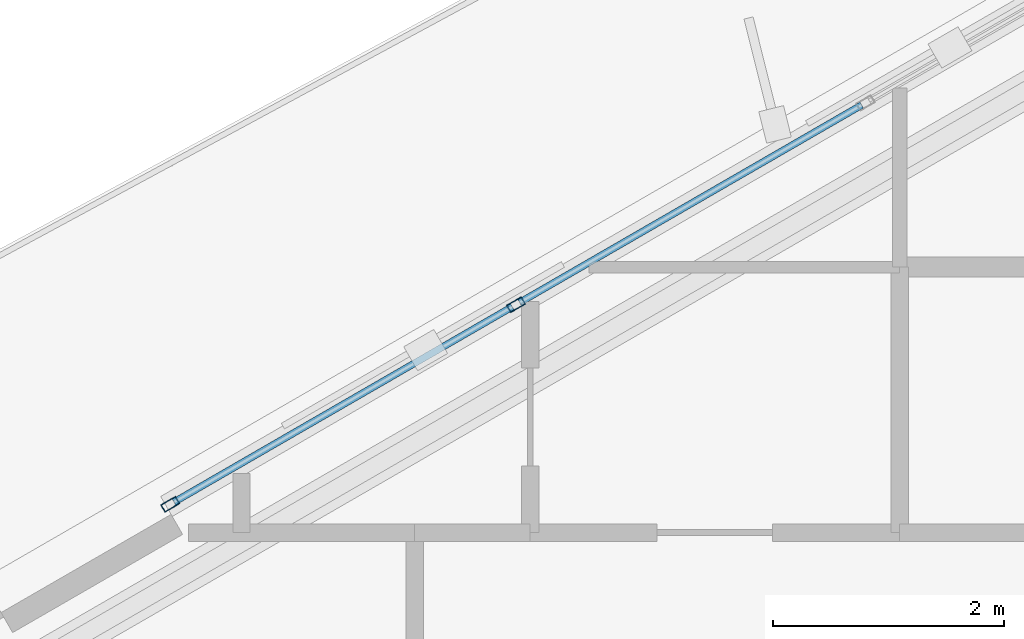
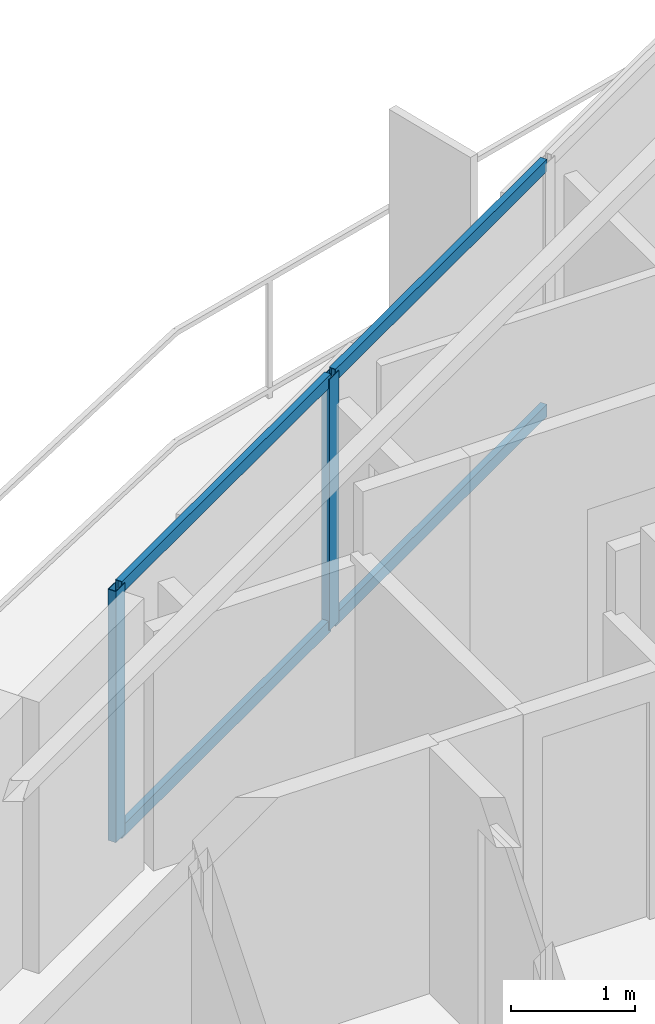
# One storey, part 5 of 18: 6 members, 1 element without a shape of its own.
"""IFC4 building model written with IfcOpenShell, lengths in metres."""

from ifc_helpers import new_model, si_unit, direction, frame, origin, origin_2d, place, context, subcontext, project, spatial, hollow_rectangle, extrude, material, layer, layer_set, material_profile, profile_set, type_object, element, aggregate, save


model = new_model("IFC4")

# Units and contexts
model_context = context("Model", 3, precision=1e-05, world=origin(), true_north=direction((0.0, 1.0)))
body_context = subcontext(model_context, "Body", "Model", "MODEL_VIEW")
ifc_project = project(units=[si_unit("LENGTHUNIT", "METRE"), si_unit("AREAUNIT", "SQUARE_METRE"), si_unit("VOLUMEUNIT", "CUBIC_METRE"), si_unit("PLANEANGLEUNIT", "RADIAN"), si_unit("MASSUNIT", "GRAM", prefix="KILO")], contexts=[model_context])

# Site, building, storey
site_placement = place(None, origin())
site = spatial("IfcSite", under=ifc_project, at=site_placement, CompositionType="ELEMENT")
building_placement = place(site_placement, origin())
building = spatial("IfcBuilding", under=site, at=building_placement, Name="Mersakhor Tower and Convention Hall", CompositionType="ELEMENT")
storey_placement = place(building_placement, frame((0.0, 0.0, 154.199951171875)))
storey = spatial("IfcBuildingStorey", under=building, at=storey_placement, Name="L43", CompositionType="ELEMENT", Elevation=154.199951171875)

# Curtain wall, members
ifc_material_1 = material(Name="Dark solar low-E aluminium curtain wall", Category="aluminium")
ifc_layer = layer(ifc_material_1, 0.169921875)
ifc_layer_set = layer_set([ifc_layer], Name="Dark solar low-E aluminium curtain wall")
curtain_wall_type = type_object("IfcCurtainWallType", Name="CW-SYS-02", PredefinedType="USERDEFINED", material=ifc_layer_set)
curtain_wall_placement = place(storey_placement, origin())
curtain_wall = element("IfcCurtainWall", 1, at=curtain_wall_placement, inside=storey, type_object=curtain_wall_type, Name="L43 Dark-Glass Curtain Wall F1-B2", ObjectType="CURTAIN WALL", PredefinedType="USERDEFINED")
ifc_material_2 = material(Name="Anodised aluminium EN AW-6063 T6", Category="aluminium")
ifc_material_profile_1 = material_profile(ifc_material_2, hollow_rectangle(XDim=0.074951171875, YDim=0.14990234375, WallThickness=0.00634765625, at=origin_2d()), Name="RHS 150x75x6.3")
ifc_profile_set_1 = profile_set([ifc_material_profile_1], Name="Anodised aluminium EN AW-6063 T6")
member_type_1 = type_object("IfcMemberType", Name="CWM-150x75", PredefinedType="MULLION", material=ifc_profile_set_1)
member_1_placement = place(storey_placement, frame((17.88232421875, 35.595458984375, 0.199951171875), z_axis=(0.0, 0.0, 1.0), x_axis=(-0.499990468363, 0.866030906807, 0.0)))
member_1 = element("IfcMember", 2, at=member_1_placement, type_object=member_type_1, Name="CW-02 mullion 1", PredefinedType="MULLION", context=body_context, shape_type="SweptSolid", body=[
    extrude(hollow_rectangle(XDim=0.074951171875, YDim=0.14990234375, WallThickness=0.00634765625, at=origin_2d()), origin(), (0.0, 0.0, 1.0), 2.47998046875),
])
member_2_placement = place(storey_placement, frame((20.876953125, 37.32421875, 0.199951171875), z_axis=(0.0, 0.0, 1.0), x_axis=(-0.499990468363, 0.866030906807, 0.0)))
member_2 = element("IfcMember", 3, at=member_2_placement, type_object=member_type_1, Name="CW-02 mullion 2", PredefinedType="MULLION", context=body_context, shape_type="SweptSolid", body=[
    extrude(hollow_rectangle(XDim=0.074951171875, YDim=0.14990234375, WallThickness=0.00634765625, at=origin_2d()), origin(), (0.0, 0.0, 1.0), 2.47998046875),
])
ifc_material_3 = material(Name="Anodised aluminium EN AW-6063 T6", Category="aluminium")
ifc_material_profile_2 = material_profile(ifc_material_3, hollow_rectangle(XDim=0.06005859375, YDim=0.1201171875, WallThickness=0.0048828125, at=origin_2d()), Name="RHS 120x60x5")
ifc_profile_set_2 = profile_set([ifc_material_profile_2], Name="Anodised aluminium EN AW-6063 T6")
member_type_2 = type_object("IfcMemberType", Name="CWT-120x60", PredefinedType="USERDEFINED", material=ifc_profile_set_2)
member_3_placement = place(storey_placement, frame((17.914794921875, 35.6142578125, 0.22998046875), z_axis=(0.866031754707, 0.499988999718, 0.0), x_axis=(-0.499988999718, 0.866031754707, 0.0)))
member_3 = element("IfcMember", 4, at=member_3_placement, type_object=member_type_2, Name="CW-02 transom 1.1", ObjectType="TRANSOM", PredefinedType="USERDEFINED", context=body_context, shape_type="SweptSolid", body=[
    extrude(hollow_rectangle(XDim=0.06005859375, YDim=0.1201171875, WallThickness=0.0048828125, at=origin_2d()), origin(), (0.0, 0.0, 1.0), 3.3828125),
])
member_4_placement = place(storey_placement, frame((17.914794921875, 35.6142578125, 2.650146484375), z_axis=(0.866031754707, 0.499988999718, 0.0), x_axis=(-0.499988999718, 0.866031754707, 0.0)))
member_4 = element("IfcMember", 5, at=member_4_placement, type_object=member_type_2, Name="CW-02 transom 1.2", ObjectType="TRANSOM", PredefinedType="USERDEFINED", context=body_context, shape_type="SweptSolid", body=[
    extrude(hollow_rectangle(XDim=0.06005859375, YDim=0.1201171875, WallThickness=0.0048828125, at=origin_2d()), origin(), (0.0, 0.0, 1.0), 3.3828125),
])
member_5_placement = place(storey_placement, frame((20.909423828125, 37.343017578125, 0.22998046875), z_axis=(0.866007273829, 0.50003140069, 0.0), x_axis=(-0.50003140069, 0.866007273829, 0.0)))
member_5 = element("IfcMember", 6, at=member_5_placement, type_object=member_type_2, Name="CW-02 transom 2.1", ObjectType="TRANSOM", PredefinedType="USERDEFINED", context=body_context, shape_type="SweptSolid", body=[
    extrude(hollow_rectangle(XDim=0.06005859375, YDim=0.1201171875, WallThickness=0.0048828125, at=origin_2d()), origin(), (0.0, 0.0, 1.0), 3.420166015625),
])
member_6_placement = place(storey_placement, frame((20.909423828125, 37.343017578125, 2.650146484375), z_axis=(0.866007273829, 0.50003140069, 0.0), x_axis=(-0.50003140069, 0.866007273829, 0.0)))
member_6 = element("IfcMember", 7, at=member_6_placement, type_object=member_type_2, Name="CW-02 transom 2.2", ObjectType="TRANSOM", PredefinedType="USERDEFINED", context=body_context, shape_type="SweptSolid", body=[
    extrude(hollow_rectangle(XDim=0.06005859375, YDim=0.1201171875, WallThickness=0.0048828125, at=origin_2d()), origin(), (0.0, 0.0, 1.0), 3.420166015625),
])
aggregate(curtain_wall, [member_1, member_2, member_3, member_4, member_5, member_6])

save(model, "model.ifc")
